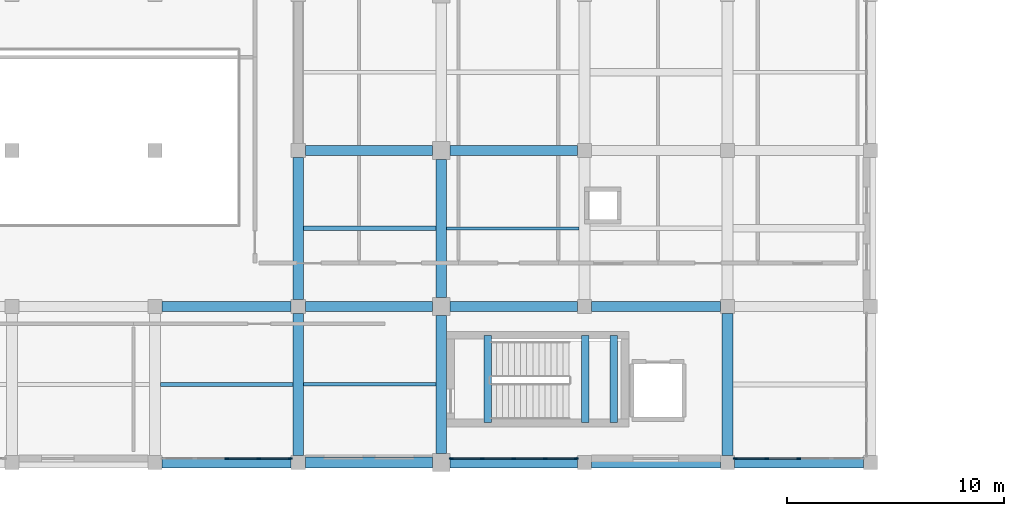
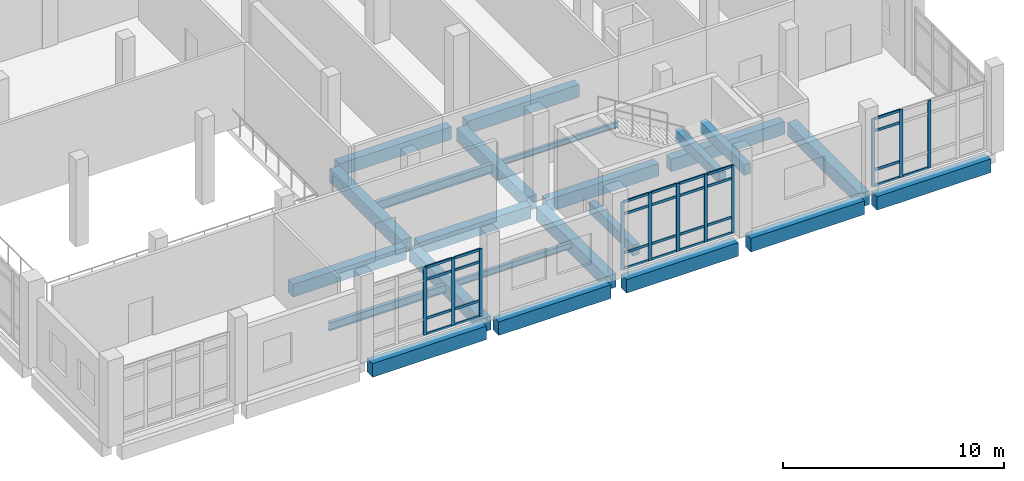
# One storey, part 9 of 73: 40 members, 23 beams, 3 elements without a shape of their own.
"""IFC4 building model written with IfcOpenShell, lengths in metres."""

from ifc_helpers import new_model, si_unit, direction, frame, origin, origin_2d, place, context, subcontext, project, spatial, rectangle, i_section, extrude, material, layer, layer_set, material_profile, profile_set, type_object, element, aggregate, save


model = new_model("IFC4")

# Units and contexts
model_context = context("Model", 3, precision=1e-05, world=origin(), true_north=direction((0.0, 1.0)))
body_context = subcontext(model_context, "Body", "Model", "MODEL_VIEW")
ifc_project = project(units=[si_unit("LENGTHUNIT", "METRE"), si_unit("AREAUNIT", "SQUARE_METRE"), si_unit("VOLUMEUNIT", "CUBIC_METRE"), si_unit("PLANEANGLEUNIT", "RADIAN"), si_unit("MASSUNIT", "GRAM", prefix="KILO")], contexts=[model_context])

# Site, building, storey
site_placement = place(None, origin())
site = spatial("IfcSite", under=ifc_project, at=site_placement, CompositionType="ELEMENT")
building_placement = place(site_placement, origin())
building = spatial("IfcBuilding", under=site, at=building_placement, Name="Kelarvand Opera House", CompositionType="ELEMENT")
storey_placement = place(building_placement, frame((0.0, 0.0, 10.199951171875)))
storey = spatial("IfcBuildingStorey", under=building, at=storey_placement, Name="L02", CompositionType="ELEMENT", Elevation=10.199951171875)

# Curtain wall, members
ifc_material_1 = material(Name="Thermally broken aluminium and low-E glazing", Category="aluminium")
ifc_layer_1 = layer(ifc_material_1, 0.179931640625, Name="Thermally broken aluminium and low-E glazing", Category="aluminium")
ifc_layer_set_1 = layer_set([ifc_layer_1], Name="Thermally broken aluminium and low-E glazing")
curtain_wall_type_1 = type_object("IfcCurtainWallType", Name="Unitised Low-E Curtain Wall 5930x3750 Mod 1350 CWF-55", PredefinedType="USERDEFINED", material=ifc_layer_set_1)
curtain_wall_1_placement = place(storey_placement, origin())
curtain_wall_1 = element("IfcCurtainWall", 1, at=curtain_wall_1_placement, inside=storey, type_object=curtain_wall_type_1, Name="V6 L02 Curtain Wall CWF-55 (225)", ObjectType="UNITISED CURTAIN WALL", PredefinedType="USERDEFINED")
ifc_material_2 = material(Name="Thermally broken anodised aluminium", Category="aluminium")
ifc_material_profile_1 = material_profile(ifc_material_2, rectangle(XDim=0.06494140625, YDim=0.179931640625, at=origin_2d()), Name="ALU MULLION 65x180", Category="aluminium")
ifc_profile_set_1 = profile_set([ifc_material_profile_1], Name="Thermally broken anodised aluminium")
member_type_1 = type_object("IfcMemberType", Name="Curtain Wall Mullion 65x180 Aluminium", PredefinedType="MULLION", material=ifc_profile_set_1)
member_1_placement = place(storey_placement, frame((131.89990234375, 9.179931640625, 0.0), z_axis=(0.0, 0.0, 1.0), x_axis=(0.0, -1.0, 0.0)))
member_1 = element("IfcMember", 2, at=member_1_placement, type_object=member_type_1, Name="CWF-55 mullion 3", PredefinedType="MULLION", context=body_context, shape_type="SweptSolid", body=[
    extrude(rectangle(XDim=0.06494140625, YDim=0.179931640625, at=origin_2d()), origin(), (0.0, 0.0, 1.0), 3.75),
])
member_2_placement = place(storey_placement, frame((130.41748046875, 9.179931640625, 0.0), z_axis=(0.0, 0.0, 1.0), x_axis=(0.0, -1.0, 0.0)))
member_2 = element("IfcMember", 3, at=member_2_placement, type_object=member_type_1, Name="CWF-55 mullion 4", PredefinedType="MULLION", context=body_context, shape_type="SweptSolid", body=[
    extrude(rectangle(XDim=0.06494140625, YDim=0.179931640625, at=origin_2d()), origin(), (0.0, 0.0, 1.0), 3.75),
])
member_3_placement = place(storey_placement, frame((128.967529296875, 9.179931640625, 0.0), z_axis=(0.0, 0.0, 1.0), x_axis=(0.0, -1.0, 0.0)))
member_3 = element("IfcMember", 4, at=member_3_placement, type_object=member_type_1, Name="CWF-55 mullion 5", PredefinedType="MULLION", context=body_context, shape_type="SweptSolid", body=[
    extrude(rectangle(XDim=0.06494140625, YDim=0.179931640625, at=origin_2d()), origin(), (0.0, 0.0, 1.0), 3.75),
])

ifc_layer_2 = layer(ifc_material_1, 0.179931640625, Name="Thermally broken aluminium and low-E glazing", Category="aluminium")
ifc_layer_set_2 = layer_set([ifc_layer_2], Name="Thermally broken aluminium and low-E glazing")
curtain_wall_type_2 = type_object("IfcCurtainWallType", Name="Unitised Low-E Curtain Wall 5845x3750 Mod 1350 CWF-56", PredefinedType="USERDEFINED", material=ifc_layer_set_2)
curtain_wall_2_placement = place(storey_placement, origin())
curtain_wall_2 = element("IfcCurtainWall", 5, at=curtain_wall_2_placement, inside=storey, type_object=curtain_wall_type_2, Name="V6 L02 Curtain Wall CWF-56 (226)", ObjectType="UNITISED CURTAIN WALL", PredefinedType="USERDEFINED")
member_4_placement = place(storey_placement, frame((121.632568359375, 9.179931640625, 0.0), z_axis=(0.0, 0.0, 1.0), x_axis=(0.0, -1.0, 0.0)))
member_4 = element("IfcMember", 6, at=member_4_placement, type_object=member_type_1, Name="CWF-56 mullion 1", PredefinedType="MULLION", context=body_context, shape_type="SweptSolid", body=[
    extrude(rectangle(XDim=0.06494140625, YDim=0.179931640625, at=origin_2d()), origin(), (0.0, 0.0, 1.0), 3.75),
])
member_5_placement = place(storey_placement, frame((120.203857421875, 9.179931640625, 0.0), z_axis=(0.0, 0.0, 1.0), x_axis=(0.0, -1.0, 0.0)))
member_5 = element("IfcMember", 7, at=member_5_placement, type_object=member_type_1, Name="CWF-56 mullion 2", PredefinedType="MULLION", context=body_context, shape_type="SweptSolid", body=[
    extrude(rectangle(XDim=0.06494140625, YDim=0.179931640625, at=origin_2d()), origin(), (0.0, 0.0, 1.0), 3.75),
])
member_6_placement = place(storey_placement, frame((118.742431640625, 9.179931640625, 0.0), z_axis=(0.0, 0.0, 1.0), x_axis=(0.0, -1.0, 0.0)))
member_6 = element("IfcMember", 8, at=member_6_placement, type_object=member_type_1, Name="CWF-56 mullion 3", PredefinedType="MULLION", context=body_context, shape_type="SweptSolid", body=[
    extrude(rectangle(XDim=0.06494140625, YDim=0.179931640625, at=origin_2d()), origin(), (0.0, 0.0, 1.0), 3.75),
])
member_7_placement = place(storey_placement, frame((117.28125, 9.179931640625, 0.0), z_axis=(0.0, 0.0, 1.0), x_axis=(0.0, -1.0, 0.0)))
member_7 = element("IfcMember", 9, at=member_7_placement, type_object=member_type_1, Name="CWF-56 mullion 4", PredefinedType="MULLION", context=body_context, shape_type="SweptSolid", body=[
    extrude(rectangle(XDim=0.06494140625, YDim=0.179931640625, at=origin_2d()), origin(), (0.0, 0.0, 1.0), 3.75),
])
member_8_placement = place(storey_placement, frame((115.8525390625, 9.179931640625, 0.0), z_axis=(0.0, 0.0, 1.0), x_axis=(0.0, -1.0, 0.0)))
member_8 = element("IfcMember", 10, at=member_8_placement, type_object=member_type_1, Name="CWF-56 mullion 5", PredefinedType="MULLION", context=body_context, shape_type="SweptSolid", body=[
    extrude(rectangle(XDim=0.06494140625, YDim=0.179931640625, at=origin_2d()), origin(), (0.0, 0.0, 1.0), 3.75),
])

curtain_wall_3_placement = place(storey_placement, origin())
curtain_wall_3 = element("IfcCurtainWall", 11, at=curtain_wall_3_placement, inside=storey, type_object=curtain_wall_type_1, Name="V6 L02 Curtain Wall CWF-55 (227)", ObjectType="UNITISED CURTAIN WALL", PredefinedType="USERDEFINED")
member_9_placement = place(storey_placement, frame((108.4326171875, 9.179931640625, 0.0), z_axis=(0.0, 0.0, 1.0), x_axis=(0.0, -1.0, 0.0)))
member_9 = element("IfcMember", 12, at=member_9_placement, type_object=member_type_1, Name="CWF-55 mullion 1", PredefinedType="MULLION", context=body_context, shape_type="SweptSolid", body=[
    extrude(rectangle(XDim=0.06494140625, YDim=0.179931640625, at=origin_2d()), origin(), (0.0, 0.0, 1.0), 3.75),
])
member_10_placement = place(storey_placement, frame((106.982421875, 9.179931640625, 0.0), z_axis=(0.0, 0.0, 1.0), x_axis=(0.0, -1.0, 0.0)))
member_10 = element("IfcMember", 13, at=member_10_placement, type_object=member_type_1, Name="CWF-55 mullion 2", PredefinedType="MULLION", context=body_context, shape_type="SweptSolid", body=[
    extrude(rectangle(XDim=0.06494140625, YDim=0.179931640625, at=origin_2d()), origin(), (0.0, 0.0, 1.0), 3.75),
])
member_11_placement = place(storey_placement, frame((105.5, 9.179931640625, 0.0), z_axis=(0.0, 0.0, 1.0), x_axis=(0.0, -1.0, 0.0)))
member_11 = element("IfcMember", 14, at=member_11_placement, type_object=member_type_1, Name="CWF-55 mullion 3", PredefinedType="MULLION", context=body_context, shape_type="SweptSolid", body=[
    extrude(rectangle(XDim=0.06494140625, YDim=0.179931640625, at=origin_2d()), origin(), (0.0, 0.0, 1.0), 3.75),
])

# Member
ifc_material_profile_2 = material_profile(ifc_material_2, rectangle(XDim=0.06494140625, YDim=0.139892578125, at=origin_2d()), Name="ALU TRANSOM 65x140", Category="aluminium")
ifc_profile_set_2 = profile_set([ifc_material_profile_2], Name="Thermally broken anodised aluminium")
member_type_2 = type_object("IfcMemberType", Name="Curtain Wall Transom 65x140 Aluminium", PredefinedType="USERDEFINED", material=ifc_profile_set_2)
member_12_placement = place(storey_placement, frame((131.867431640625, 9.179931640625, 0.032470703125), z_axis=(-1.0, 0.0, 0.0), x_axis=(0.0, -1.0, 0.0)))
member_12 = element("IfcMember", 15, at=member_12_placement, type_object=member_type_2, Name="CWF-55 transom 3.1", ObjectType="TRANSOM", PredefinedType="USERDEFINED", context=body_context, shape_type="SweptSolid", body=[
    extrude(rectangle(XDim=0.06494140625, YDim=0.139892578125, at=origin_2d()), origin(), (0.0, 0.0, 1.0), 1.41748046875),
])

member_13_placement = place(storey_placement, frame((130.385009765625, 9.179931640625, 0.032470703125), z_axis=(-1.0, 0.0, 0.0), x_axis=(0.0, -1.0, 0.0)))
member_13 = element("IfcMember", 16, at=member_13_placement, type_object=member_type_2, Name="CWF-55 transom 4.1", ObjectType="TRANSOM", PredefinedType="USERDEFINED", context=body_context, shape_type="SweptSolid", body=[
    extrude(rectangle(XDim=0.06494140625, YDim=0.139892578125, at=origin_2d()), origin(), (0.0, 0.0, 1.0), 1.385009765625),
])

member_14_placement = place(storey_placement, frame((130.385009765625, 9.179931640625, 0.900146484375), z_axis=(-1.0, 0.0, 0.0), x_axis=(0.0, -1.0, 0.0)))
member_14 = element("IfcMember", 17, at=member_14_placement, type_object=member_type_2, Name="CWF-55 transom 4.2", ObjectType="TRANSOM", PredefinedType="USERDEFINED", context=body_context, shape_type="SweptSolid", body=[
    extrude(rectangle(XDim=0.06494140625, YDim=0.139892578125, at=origin_2d()), origin(), (0.0, 0.0, 1.0), 1.385009765625),
])

member_15_placement = place(storey_placement, frame((130.385009765625, 9.179931640625, 3.050048828125), z_axis=(-1.0, 0.0, 0.0), x_axis=(0.0, -1.0, 0.0)))
member_15 = element("IfcMember", 18, at=member_15_placement, type_object=member_type_2, Name="CWF-55 transom 4.3", ObjectType="TRANSOM", PredefinedType="USERDEFINED", context=body_context, shape_type="SweptSolid", body=[
    extrude(rectangle(XDim=0.06494140625, YDim=0.139892578125, at=origin_2d()), origin(), (0.0, 0.0, 1.0), 1.385009765625),
])

member_16_placement = place(storey_placement, frame((130.385009765625, 9.179931640625, 3.717529296875), z_axis=(-1.0, 0.0, 0.0), x_axis=(0.0, -1.0, 0.0)))
member_16 = element("IfcMember", 19, at=member_16_placement, type_object=member_type_2, Name="CWF-55 transom 4.4", ObjectType="TRANSOM", PredefinedType="USERDEFINED", context=body_context, shape_type="SweptSolid", body=[
    extrude(rectangle(XDim=0.06494140625, YDim=0.139892578125, at=origin_2d()), origin(), (0.0, 0.0, 1.0), 1.385009765625),
])

aggregate(curtain_wall_1, [member_1, member_2, member_3, member_12, member_13, member_14, member_15, member_16])

member_17_placement = place(storey_placement, frame((121.60009765625, 9.179931640625, 0.032470703125), z_axis=(-1.0, 0.0, 0.0), x_axis=(0.0, -1.0, 0.0)))
member_17 = element("IfcMember", 20, at=member_17_placement, type_object=member_type_2, Name="CWF-56 transom 1.1", ObjectType="TRANSOM", PredefinedType="USERDEFINED", context=body_context, shape_type="SweptSolid", body=[
    extrude(rectangle(XDim=0.06494140625, YDim=0.139892578125, at=origin_2d()), origin(), (0.0, 0.0, 1.0), 1.36376953125),
])

member_18_placement = place(storey_placement, frame((121.60009765625, 9.179931640625, 0.900146484375), z_axis=(-1.0, 0.0, 0.0), x_axis=(0.0, -1.0, 0.0)))
member_18 = element("IfcMember", 21, at=member_18_placement, type_object=member_type_2, Name="CWF-56 transom 1.2", ObjectType="TRANSOM", PredefinedType="USERDEFINED", context=body_context, shape_type="SweptSolid", body=[
    extrude(rectangle(XDim=0.06494140625, YDim=0.139892578125, at=origin_2d()), origin(), (0.0, 0.0, 1.0), 1.36376953125),
])

member_19_placement = place(storey_placement, frame((121.60009765625, 9.179931640625, 3.050048828125), z_axis=(-1.0, 0.0, 0.0), x_axis=(0.0, -1.0, 0.0)))
member_19 = element("IfcMember", 22, at=member_19_placement, type_object=member_type_2, Name="CWF-56 transom 1.3", ObjectType="TRANSOM", PredefinedType="USERDEFINED", context=body_context, shape_type="SweptSolid", body=[
    extrude(rectangle(XDim=0.06494140625, YDim=0.139892578125, at=origin_2d()), origin(), (0.0, 0.0, 1.0), 1.36376953125),
])

member_20_placement = place(storey_placement, frame((121.60009765625, 9.179931640625, 3.717529296875), z_axis=(-1.0, 0.0, 0.0), x_axis=(0.0, -1.0, 0.0)))
member_20 = element("IfcMember", 23, at=member_20_placement, type_object=member_type_2, Name="CWF-56 transom 1.4", ObjectType="TRANSOM", PredefinedType="USERDEFINED", context=body_context, shape_type="SweptSolid", body=[
    extrude(rectangle(XDim=0.06494140625, YDim=0.139892578125, at=origin_2d()), origin(), (0.0, 0.0, 1.0), 1.36376953125),
])

member_21_placement = place(storey_placement, frame((120.171142578125, 9.179931640625, 0.032470703125), z_axis=(-1.0, 0.0, 0.0), x_axis=(0.0, -1.0, 0.0)))
member_21 = element("IfcMember", 24, at=member_21_placement, type_object=member_type_2, Name="CWF-56 transom 2.1", ObjectType="TRANSOM", PredefinedType="USERDEFINED", context=body_context, shape_type="SweptSolid", body=[
    extrude(rectangle(XDim=0.06494140625, YDim=0.139892578125, at=origin_2d()), origin(), (0.0, 0.0, 1.0), 1.396240234375),
])

member_22_placement = place(storey_placement, frame((120.171142578125, 9.179931640625, 0.900146484375), z_axis=(-1.0, 0.0, 0.0), x_axis=(0.0, -1.0, 0.0)))
member_22 = element("IfcMember", 25, at=member_22_placement, type_object=member_type_2, Name="CWF-56 transom 2.2", ObjectType="TRANSOM", PredefinedType="USERDEFINED", context=body_context, shape_type="SweptSolid", body=[
    extrude(rectangle(XDim=0.06494140625, YDim=0.139892578125, at=origin_2d()), origin(), (0.0, 0.0, 1.0), 1.396240234375),
])

member_23_placement = place(storey_placement, frame((120.171142578125, 9.179931640625, 3.050048828125), z_axis=(-1.0, 0.0, 0.0), x_axis=(0.0, -1.0, 0.0)))
member_23 = element("IfcMember", 26, at=member_23_placement, type_object=member_type_2, Name="CWF-56 transom 2.3", ObjectType="TRANSOM", PredefinedType="USERDEFINED", context=body_context, shape_type="SweptSolid", body=[
    extrude(rectangle(XDim=0.06494140625, YDim=0.139892578125, at=origin_2d()), origin(), (0.0, 0.0, 1.0), 1.396240234375),
])

member_24_placement = place(storey_placement, frame((120.171142578125, 9.179931640625, 3.717529296875), z_axis=(-1.0, 0.0, 0.0), x_axis=(0.0, -1.0, 0.0)))
member_24 = element("IfcMember", 27, at=member_24_placement, type_object=member_type_2, Name="CWF-56 transom 2.4", ObjectType="TRANSOM", PredefinedType="USERDEFINED", context=body_context, shape_type="SweptSolid", body=[
    extrude(rectangle(XDim=0.06494140625, YDim=0.139892578125, at=origin_2d()), origin(), (0.0, 0.0, 1.0), 1.396240234375),
])

member_25_placement = place(storey_placement, frame((118.7099609375, 9.179931640625, 0.032470703125), z_axis=(-1.0, 0.0, 0.0), x_axis=(0.0, -1.0, 0.0)))
member_25 = element("IfcMember", 28, at=member_25_placement, type_object=member_type_2, Name="CWF-56 transom 3.1", ObjectType="TRANSOM", PredefinedType="USERDEFINED", context=body_context, shape_type="SweptSolid", body=[
    extrude(rectangle(XDim=0.06494140625, YDim=0.139892578125, at=origin_2d()), origin(), (0.0, 0.0, 1.0), 1.396240234375),
])

member_26_placement = place(storey_placement, frame((118.7099609375, 9.179931640625, 0.900146484375), z_axis=(-1.0, 0.0, 0.0), x_axis=(0.0, -1.0, 0.0)))
member_26 = element("IfcMember", 29, at=member_26_placement, type_object=member_type_2, Name="CWF-56 transom 3.2", ObjectType="TRANSOM", PredefinedType="USERDEFINED", context=body_context, shape_type="SweptSolid", body=[
    extrude(rectangle(XDim=0.06494140625, YDim=0.139892578125, at=origin_2d()), origin(), (0.0, 0.0, 1.0), 1.396240234375),
])

member_27_placement = place(storey_placement, frame((118.7099609375, 9.179931640625, 3.050048828125), z_axis=(-1.0, 0.0, 0.0), x_axis=(0.0, -1.0, 0.0)))
member_27 = element("IfcMember", 30, at=member_27_placement, type_object=member_type_2, Name="CWF-56 transom 3.3", ObjectType="TRANSOM", PredefinedType="USERDEFINED", context=body_context, shape_type="SweptSolid", body=[
    extrude(rectangle(XDim=0.06494140625, YDim=0.139892578125, at=origin_2d()), origin(), (0.0, 0.0, 1.0), 1.396240234375),
])

member_28_placement = place(storey_placement, frame((118.7099609375, 9.179931640625, 3.717529296875), z_axis=(-1.0, 0.0, 0.0), x_axis=(0.0, -1.0, 0.0)))
member_28 = element("IfcMember", 31, at=member_28_placement, type_object=member_type_2, Name="CWF-56 transom 3.4", ObjectType="TRANSOM", PredefinedType="USERDEFINED", context=body_context, shape_type="SweptSolid", body=[
    extrude(rectangle(XDim=0.06494140625, YDim=0.139892578125, at=origin_2d()), origin(), (0.0, 0.0, 1.0), 1.396240234375),
])

member_29_placement = place(storey_placement, frame((117.248779296875, 9.179931640625, 0.032470703125), z_axis=(-1.0, 0.0, 0.0), x_axis=(0.0, -1.0, 0.0)))
member_29 = element("IfcMember", 32, at=member_29_placement, type_object=member_type_2, Name="CWF-56 transom 4.1", ObjectType="TRANSOM", PredefinedType="USERDEFINED", context=body_context, shape_type="SweptSolid", body=[
    extrude(rectangle(XDim=0.06494140625, YDim=0.139892578125, at=origin_2d()), origin(), (0.0, 0.0, 1.0), 1.36376953125),
])

member_30_placement = place(storey_placement, frame((117.248779296875, 9.179931640625, 0.900146484375), z_axis=(-1.0, 0.0, 0.0), x_axis=(0.0, -1.0, 0.0)))
member_30 = element("IfcMember", 33, at=member_30_placement, type_object=member_type_2, Name="CWF-56 transom 4.2", ObjectType="TRANSOM", PredefinedType="USERDEFINED", context=body_context, shape_type="SweptSolid", body=[
    extrude(rectangle(XDim=0.06494140625, YDim=0.139892578125, at=origin_2d()), origin(), (0.0, 0.0, 1.0), 1.36376953125),
])

member_31_placement = place(storey_placement, frame((117.248779296875, 9.179931640625, 3.050048828125), z_axis=(-1.0, 0.0, 0.0), x_axis=(0.0, -1.0, 0.0)))
member_31 = element("IfcMember", 34, at=member_31_placement, type_object=member_type_2, Name="CWF-56 transom 4.3", ObjectType="TRANSOM", PredefinedType="USERDEFINED", context=body_context, shape_type="SweptSolid", body=[
    extrude(rectangle(XDim=0.06494140625, YDim=0.139892578125, at=origin_2d()), origin(), (0.0, 0.0, 1.0), 1.36376953125),
])

member_32_placement = place(storey_placement, frame((117.248779296875, 9.179931640625, 3.717529296875), z_axis=(-1.0, 0.0, 0.0), x_axis=(0.0, -1.0, 0.0)))
member_32 = element("IfcMember", 35, at=member_32_placement, type_object=member_type_2, Name="CWF-56 transom 4.4", ObjectType="TRANSOM", PredefinedType="USERDEFINED", context=body_context, shape_type="SweptSolid", body=[
    extrude(rectangle(XDim=0.06494140625, YDim=0.139892578125, at=origin_2d()), origin(), (0.0, 0.0, 1.0), 1.36376953125),
])

aggregate(curtain_wall_2, [member_4, member_5, member_6, member_7, member_8, member_17, member_18, member_19, member_20, member_21, member_22, member_23, member_24, member_25, member_26, member_27, member_28, member_29, member_30, member_31, member_32])

member_33_placement = place(storey_placement, frame((108.39990234375, 9.179931640625, 0.032470703125), z_axis=(-1.0, 0.0, 0.0), x_axis=(0.0, -1.0, 0.0)))
member_33 = element("IfcMember", 36, at=member_33_placement, type_object=member_type_2, Name="CWF-55 transom 1.1", ObjectType="TRANSOM", PredefinedType="USERDEFINED", context=body_context, shape_type="SweptSolid", body=[
    extrude(rectangle(XDim=0.06494140625, YDim=0.139892578125, at=origin_2d()), origin(), (0.0, 0.0, 1.0), 1.385009765625),
])

member_34_placement = place(storey_placement, frame((108.39990234375, 9.179931640625, 0.900146484375), z_axis=(-1.0, 0.0, 0.0), x_axis=(0.0, -1.0, 0.0)))
member_34 = element("IfcMember", 37, at=member_34_placement, type_object=member_type_2, Name="CWF-55 transom 1.2", ObjectType="TRANSOM", PredefinedType="USERDEFINED", context=body_context, shape_type="SweptSolid", body=[
    extrude(rectangle(XDim=0.06494140625, YDim=0.139892578125, at=origin_2d()), origin(), (0.0, 0.0, 1.0), 1.385009765625),
])

member_35_placement = place(storey_placement, frame((108.39990234375, 9.179931640625, 3.050048828125), z_axis=(-1.0, 0.0, 0.0), x_axis=(0.0, -1.0, 0.0)))
member_35 = element("IfcMember", 38, at=member_35_placement, type_object=member_type_2, Name="CWF-55 transom 1.3", ObjectType="TRANSOM", PredefinedType="USERDEFINED", context=body_context, shape_type="SweptSolid", body=[
    extrude(rectangle(XDim=0.06494140625, YDim=0.139892578125, at=origin_2d()), origin(), (0.0, 0.0, 1.0), 1.385009765625),
])

member_36_placement = place(storey_placement, frame((108.39990234375, 9.179931640625, 3.717529296875), z_axis=(-1.0, 0.0, 0.0), x_axis=(0.0, -1.0, 0.0)))
member_36 = element("IfcMember", 39, at=member_36_placement, type_object=member_type_2, Name="CWF-55 transom 1.4", ObjectType="TRANSOM", PredefinedType="USERDEFINED", context=body_context, shape_type="SweptSolid", body=[
    extrude(rectangle(XDim=0.06494140625, YDim=0.139892578125, at=origin_2d()), origin(), (0.0, 0.0, 1.0), 1.385009765625),
])

member_37_placement = place(storey_placement, frame((106.949951171875, 9.179931640625, 0.032470703125), z_axis=(-1.0, 0.0, 0.0), x_axis=(0.0, -1.0, 0.0)))
member_37 = element("IfcMember", 40, at=member_37_placement, type_object=member_type_2, Name="CWF-55 transom 2.1", ObjectType="TRANSOM", PredefinedType="USERDEFINED", context=body_context, shape_type="SweptSolid", body=[
    extrude(rectangle(XDim=0.06494140625, YDim=0.139892578125, at=origin_2d()), origin(), (0.0, 0.0, 1.0), 1.41748046875),
])

member_38_placement = place(storey_placement, frame((106.949951171875, 9.179931640625, 0.900146484375), z_axis=(-1.0, 0.0, 0.0), x_axis=(0.0, -1.0, 0.0)))
member_38 = element("IfcMember", 41, at=member_38_placement, type_object=member_type_2, Name="CWF-55 transom 2.2", ObjectType="TRANSOM", PredefinedType="USERDEFINED", context=body_context, shape_type="SweptSolid", body=[
    extrude(rectangle(XDim=0.06494140625, YDim=0.139892578125, at=origin_2d()), origin(), (0.0, 0.0, 1.0), 1.41748046875),
])

member_39_placement = place(storey_placement, frame((106.949951171875, 9.179931640625, 3.050048828125), z_axis=(-1.0, 0.0, 0.0), x_axis=(0.0, -1.0, 0.0)))
member_39 = element("IfcMember", 42, at=member_39_placement, type_object=member_type_2, Name="CWF-55 transom 2.3", ObjectType="TRANSOM", PredefinedType="USERDEFINED", context=body_context, shape_type="SweptSolid", body=[
    extrude(rectangle(XDim=0.06494140625, YDim=0.139892578125, at=origin_2d()), origin(), (0.0, 0.0, 1.0), 1.41748046875),
])

member_40_placement = place(storey_placement, frame((106.949951171875, 9.179931640625, 3.717529296875), z_axis=(-1.0, 0.0, 0.0), x_axis=(0.0, -1.0, 0.0)))
member_40 = element("IfcMember", 43, at=member_40_placement, type_object=member_type_2, Name="CWF-55 transom 2.4", ObjectType="TRANSOM", PredefinedType="USERDEFINED", context=body_context, shape_type="SweptSolid", body=[
    extrude(rectangle(XDim=0.06494140625, YDim=0.139892578125, at=origin_2d()), origin(), (0.0, 0.0, 1.0), 1.41748046875),
])

aggregate(curtain_wall_3, [member_9, member_10, member_11, member_33, member_34, member_35, member_36, member_37, member_38, member_39, member_40])

# Beams
ifc_material_3 = material(Name="Concrete C35/45", Category="concrete")
ifc_material_profile_3 = material_profile(ifc_material_3, rectangle(XDim=0.35009765625, YDim=0.60009765625, at=origin_2d()), Name="RC 350x600", Category="concrete")
ifc_profile_set_3 = profile_set([ifc_material_profile_3], Name="Concrete C35/45")
beam_type_1 = type_object("IfcBeamType", Name="Structural Beam RC 350x600 BM-RC350x600", PredefinedType="BEAM", material=ifc_profile_set_3)
for number, where, z_axis, x_axis, name in (
    (44, (117.5400390625, 10.85009765625, -0.52001953125), (0.0, 1.0, 0.0), (-1.0, 0.0, 0.0), "C8 Stair Landing Support Beam L02"),
    (45, (122.050048828125, 10.85009765625, 1.900146484375), (0.0, 1.0, 0.0), (-1.0, 0.0, 0.0), "C8 Stair Half-Landing Beam 1 L02"),
    (46, (123.35009765625, 10.85009765625, 1.900146484375), (0.0, 1.0, 0.0), (-1.0, 0.0, 0.0), "C8 Stair Half-Landing Beam 2 L02"),
):
    element("IfcBeam", number, at=place(storey_placement, frame(where, z_axis=z_axis, x_axis=x_axis)), inside=storey, type_object=beam_type_1, Name=name, PredefinedType="BEAM", context=body_context, shape_type="SweptSolid", body=[
        extrude(rectangle(XDim=0.35009765625, YDim=0.60009765625, at=origin_2d()), origin(), (0.0, 0.0, 1.0), 4.0),
    ])
ifc_material_4 = material(Name="Concrete C40/50", Category="concrete")
ifc_material_profile_4 = material_profile(ifc_material_4, rectangle(XDim=0.449951171875, YDim=0.699951171875, at=origin_2d()), Name="RC 450x700", Category="concrete")
ifc_profile_set_4 = profile_set([ifc_material_profile_4], Name="Concrete C40/50")
beam_type_2 = type_object("IfcBeamType", Name="Structural Beam RC 450x700 BM-RC450x700", PredefinedType="BEAM", material=ifc_profile_set_4)
beam_1_placement = place(storey_placement, frame((102.52490234375, 16.199951171875, -0.64990234375), z_axis=(1.0, 0.0, 0.0), x_axis=(0.0, 1.0, 0.0)))
element("IfcBeam", 47, at=beam_1_placement, inside=storey, type_object=beam_type_2, Name="V6 L02 Beam BM-RC450x700", PredefinedType="BEAM", context=body_context, shape_type="SweptSolid", body=[
    extrude(rectangle(XDim=0.449951171875, YDim=0.699951171875, at=origin_2d()), origin(), (0.0, 0.0, 1.0), 5.9501953125),
])
for number, where, z_axis, x_axis, name in (
    (48, (109.125, 16.199951171875, -0.64990234375), (1.0, 0.0, 0.0), (0.0, 1.0, 0.0), "V6 L02 Beam BM-RC450x700"),
    (49, (115.81005859375, 16.199951171875, -0.64990234375), (1.0, 0.0, 0.0), (0.0, 1.0, 0.0), "V6 L02 Beam BM-RC450x700"),
):
    element("IfcBeam", number, at=place(storey_placement, frame(where, z_axis=z_axis, x_axis=x_axis)), inside=storey, type_object=beam_type_2, Name=name, PredefinedType="BEAM", context=body_context, shape_type="SweptSolid", body=[
        extrude(rectangle(XDim=0.449951171875, YDim=0.699951171875, at=origin_2d()), origin(), (0.0, 0.0, 1.0), 5.864990234375),
    ])
beam_2_placement = place(storey_placement, frame((122.324951171875, 16.199951171875, -0.64990234375), z_axis=(1.0, 0.0, 0.0), x_axis=(0.0, 1.0, 0.0)))
element("IfcBeam", 50, at=beam_2_placement, inside=storey, type_object=beam_type_2, Name="V6 L02 Beam BM-RC450x700", PredefinedType="BEAM", context=body_context, shape_type="SweptSolid", body=[
    extrude(rectangle(XDim=0.449951171875, YDim=0.699951171875, at=origin_2d()), origin(), (0.0, 0.0, 1.0), 5.949951171875),
])
for number, where, z_axis, x_axis, name in (
    (51, (109.125, 23.39990234375, -0.64990234375), (1.0, 0.0, 0.0), (0.0, 1.0, 0.0), "V6 L02 Beam BM-RC450x700"),
    (52, (115.81005859375, 23.39990234375, -0.64990234375), (1.0, 0.0, 0.0), (0.0, 1.0, 0.0), "V6 L02 Beam BM-RC450x700"),
):
    element("IfcBeam", number, at=place(storey_placement, frame(where, z_axis=z_axis, x_axis=x_axis)), inside=storey, type_object=beam_type_2, Name=name, PredefinedType="BEAM", context=body_context, shape_type="SweptSolid", body=[
        extrude(rectangle(XDim=0.449951171875, YDim=0.699951171875, at=origin_2d()), origin(), (0.0, 0.0, 1.0), 5.864990234375),
    ])
ifc_material_profile_5 = material_profile(ifc_material_4, rectangle(XDim=0.5, YDim=0.75, at=origin_2d()), Name="RC 500x750", Category="concrete")
ifc_profile_set_5 = profile_set([ifc_material_profile_5], Name="Concrete C40/50")
beam_type_3 = type_object("IfcBeamType", Name="Structural Beam RC 500x750 BM-RC500x750", PredefinedType="BEAM", material=ifc_profile_set_5)
for number, where, z_axis, x_axis, name in (
    (53, (108.800048828125, 9.324951171875, -0.675048828125), (0.0, 1.0, 0.0), (-1.0, 0.0, 0.0), "V6 L02 Beam BM-RC500x750"),
    (54, (108.800048828125, 16.52490234375, -0.675048828125), (0.0, 1.0, 0.0), (-1.0, 0.0, 0.0), "V6 L02 Beam BM-RC500x750"),
):
    element("IfcBeam", number, at=place(storey_placement, frame(where, z_axis=z_axis, x_axis=x_axis)), inside=storey, type_object=beam_type_3, Name=name, PredefinedType="BEAM", context=body_context, shape_type="SweptSolid", body=[
        extrude(rectangle(XDim=0.5, YDim=0.75, at=origin_2d()), origin(), (0.0, 0.0, 1.0), 6.550048828125),
    ])
beam_3_placement = place(storey_placement, frame((115.39990234375, 9.409912109375, -0.675048828125), z_axis=(0.0, 1.0, 0.0), x_axis=(-1.0, 0.0, 0.0)))
element("IfcBeam", 55, at=beam_3_placement, inside=storey, type_object=beam_type_3, Name="V6 L02 Beam BM-RC500x750", PredefinedType="BEAM", context=body_context, shape_type="SweptSolid", body=[
    extrude(rectangle(XDim=0.5, YDim=0.75, at=origin_2d()), origin(), (0.0, 0.0, 1.0), 6.380126953125),
])
beam_4_placement = place(storey_placement, frame((115.39990234375, 16.610107421875, -0.675048828125), z_axis=(0.0, 1.0, 0.0), x_axis=(-1.0, 0.0, 0.0)))
element("IfcBeam", 56, at=beam_4_placement, inside=storey, type_object=beam_type_3, Name="V6 L02 Beam BM-RC500x750", PredefinedType="BEAM", context=body_context, shape_type="SweptSolid", body=[
    extrude(rectangle(XDim=0.5, YDim=0.75, at=origin_2d()), origin(), (0.0, 0.0, 1.0), 6.3798828125),
])
beam_5_placement = place(storey_placement, frame((128.60009765625, 9.324951171875, -0.675048828125), z_axis=(0.0, 1.0, 0.0), x_axis=(-1.0, 0.0, 0.0)))
element("IfcBeam", 57, at=beam_5_placement, inside=storey, type_object=beam_type_3, Name="V6 L02 Beam BM-RC500x750", PredefinedType="BEAM", context=body_context, shape_type="SweptSolid", body=[
    extrude(rectangle(XDim=0.5, YDim=0.75, at=origin_2d()), origin(), (0.0, 0.0, 1.0), 6.550048828125),
])
ifc_material_5 = material(Name="Steel S355", Category="steel")
ifc_material_profile_6 = material_profile(ifc_material_5, i_section(OverallWidth=0.14990234375, OverallDepth=0.300048828125, WebThickness=0.007080078125, FlangeThickness=0.0107421875, at=origin_2d()), Name="IPE 300", Category="steel")
ifc_profile_set_6 = profile_set([ifc_material_profile_6], Name="Steel S355")
beam_type_4 = type_object("IfcBeamType", Name="Structural Joist IPE 300 JS-IPE300", PredefinedType="JOIST", material=ifc_profile_set_6)
beam_6_placement = place(storey_placement, frame((115.64990234375, 19.800048828125, -0.449951171875), z_axis=(1.0, 0.0, 0.0), x_axis=(0.0, 1.0, 0.0)))
element("IfcBeam", 58, at=beam_6_placement, inside=storey, type_object=beam_type_4, Name="V6 L02 Beam JS-IPE300", PredefinedType="JOIST", context=body_context, shape_type="SweptSolid", body=[
    extrude(i_section(OverallWidth=0.14990234375, OverallDepth=0.300048828125, WebThickness=0.007080078125, FlangeThickness=0.0107421875, at=origin_2d()), origin(), (0.0, 0.0, 1.0), 6.10009765625),
])
ifc_material_profile_7 = material_profile(ifc_material_5, i_section(OverallWidth=0.159912109375, OverallDepth=0.330078125, WebThickness=0.007568359375, FlangeThickness=0.011474609375, at=origin_2d()), Name="IPE 330", Category="steel")
ifc_profile_set_7 = profile_set([ifc_material_profile_7], Name="Steel S355")
beam_type_5 = type_object("IfcBeamType", Name="Structural Joist IPE 330 JS-IPE330", PredefinedType="JOIST", material=ifc_profile_set_7)
beam_7_placement = place(storey_placement, frame((109.050048828125, 12.60009765625, -0.46484375), z_axis=(1.0, 0.0, 0.0), x_axis=(0.0, 1.0, 0.0)))
element("IfcBeam", 59, at=beam_7_placement, inside=storey, type_object=beam_type_5, Name="V6 L02 Beam JS-IPE330", PredefinedType="JOIST", context=body_context, shape_type="SweptSolid", body=[
    extrude(i_section(OverallWidth=0.159912109375, OverallDepth=0.330078125, WebThickness=0.007568359375, FlangeThickness=0.011474609375, at=origin_2d()), origin(), (0.0, 0.0, 1.0), 6.099853515625),
])
ifc_material_profile_8 = material_profile(ifc_material_5, i_section(OverallWidth=0.18994140625, OverallDepth=0.449951171875, WebThickness=0.009521484375, FlangeThickness=0.0146484375, at=origin_2d()), Name="IPE 450", Category="steel")
ifc_profile_set_8 = profile_set([ifc_material_profile_8], Name="Steel S355")
beam_type_6 = type_object("IfcBeamType", Name="Structural Joist IPE 450 JS-IPE450", PredefinedType="JOIST", material=ifc_profile_set_8)
beam_8_placement = place(storey_placement, frame((102.449951171875, 12.60009765625, -0.52490234375), z_axis=(1.0, 0.0, 0.0), x_axis=(0.0, 1.0, 0.0)))
element("IfcBeam", 60, at=beam_8_placement, inside=storey, type_object=beam_type_6, Name="V6 L02 Beam JS-IPE450", PredefinedType="JOIST", context=body_context, shape_type="SweptSolid", body=[
    extrude(i_section(OverallWidth=0.18994140625, OverallDepth=0.449951171875, WebThickness=0.009521484375, FlangeThickness=0.0146484375, at=origin_2d()), origin(), (0.0, 0.0, 1.0), 6.10009765625),
])
ifc_material_profile_9 = material_profile(ifc_material_5, i_section(OverallWidth=0.199951171875, OverallDepth=0.5, WebThickness=0.01025390625, FlangeThickness=0.01611328125, at=origin_2d()), Name="IPE 500", Category="steel")
ifc_profile_set_9 = profile_set([ifc_material_profile_9], Name="Steel S355")
beam_type_7 = type_object("IfcBeamType", Name="Structural Joist IPE 500 JS-IPE500", PredefinedType="JOIST", material=ifc_profile_set_9)
beam_9_placement = place(storey_placement, frame((109.050048828125, 19.800048828125, -0.550048828125), z_axis=(1.0, 0.0, 0.0), x_axis=(0.0, 1.0, 0.0)))
element("IfcBeam", 61, at=beam_9_placement, inside=storey, type_object=beam_type_7, Name="V6 L02 Beam JS-IPE500", PredefinedType="JOIST", context=body_context, shape_type="SweptSolid", body=[
    extrude(i_section(OverallWidth=0.199951171875, OverallDepth=0.5, WebThickness=0.01025390625, FlangeThickness=0.01611328125, at=origin_2d()), origin(), (0.0, 0.0, 1.0), 6.099853515625),
])
ifc_material_profile_10 = material_profile(ifc_material_4, rectangle(XDim=0.5, YDim=0.75, at=origin_2d()), Name="RC 500x750", Category="concrete")
ifc_profile_set_10 = profile_set([ifc_material_profile_10], Name="Concrete C40/50")
beam_type_8 = type_object("IfcBeamType", Name="Structural Spandrel RC 500x750 SP-RC500x750E", PredefinedType="SPANDREL", material=ifc_profile_set_10)
beam_10_placement = place(storey_placement, frame((102.52490234375, 9.0, -0.675048828125), z_axis=(1.0, 0.0, 0.0), x_axis=(0.0, 1.0, 0.0)))
element("IfcBeam", 62, at=beam_10_placement, inside=storey, type_object=beam_type_8, Name="V6 L02 Beam SP-RC500x750E", PredefinedType="SPANDREL", context=body_context, shape_type="SweptSolid", body=[
    extrude(rectangle(XDim=0.5, YDim=0.75, at=origin_2d()), origin(), (0.0, 0.0, 1.0), 5.9501953125),
])
for number, where, z_axis, x_axis, name in (
    (63, (109.125, 9.0, -0.675048828125), (1.0, 0.0, 0.0), (0.0, 1.0, 0.0), "V6 L02 Beam SP-RC500x750E"),
    (64, (115.81005859375, 9.0, -0.675048828125), (1.0, 0.0, 0.0), (0.0, 1.0, 0.0), "V6 L02 Beam SP-RC500x750E"),
):
    element("IfcBeam", number, at=place(storey_placement, frame(where, z_axis=z_axis, x_axis=x_axis)), inside=storey, type_object=beam_type_8, Name=name, PredefinedType="SPANDREL", context=body_context, shape_type="SweptSolid", body=[
        extrude(rectangle(XDim=0.5, YDim=0.75, at=origin_2d()), origin(), (0.0, 0.0, 1.0), 5.864990234375),
    ])
for number, where, z_axis, x_axis, name in (
    (65, (122.324951171875, 9.0, -0.675048828125), (1.0, 0.0, 0.0), (0.0, 1.0, 0.0), "V6 L02 Beam SP-RC500x750E"),
    (66, (128.925048828125, 9.0, -0.675048828125), (1.0, 0.0, 0.0), (0.0, 1.0, 0.0), "V6 L02 Beam SP-RC500x750E"),
):
    element("IfcBeam", number, at=place(storey_placement, frame(where, z_axis=z_axis, x_axis=x_axis)), inside=storey, type_object=beam_type_8, Name=name, PredefinedType="SPANDREL", context=body_context, shape_type="SweptSolid", body=[
        extrude(rectangle(XDim=0.5, YDim=0.75, at=origin_2d()), origin(), (0.0, 0.0, 1.0), 5.949951171875),
    ])

save(model, "model.ifc")
